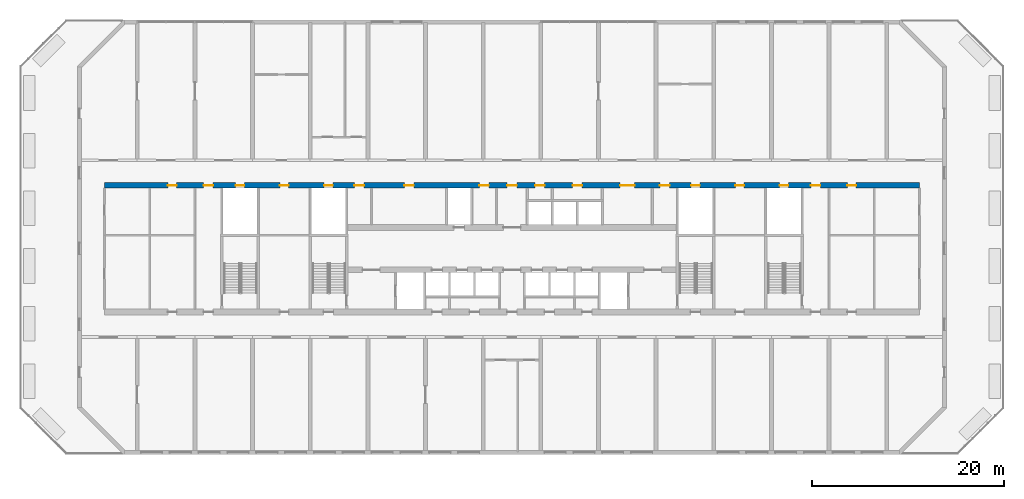
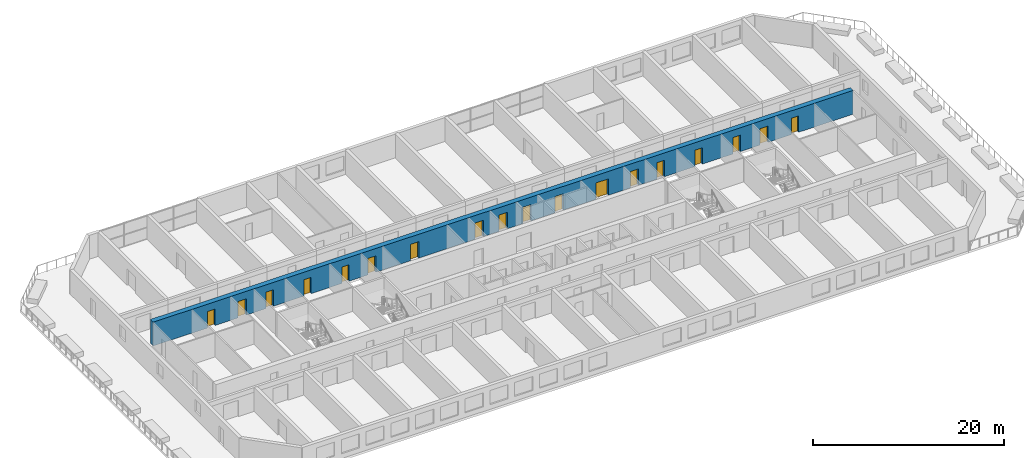
# One storey, part 13 of 21: 18 doors, 1 wall, 18 openings.
"""IFC4 building model written with IfcOpenShell, lengths in metres."""

from ifc_helpers import new_model, si_unit, direction, frame, frame_2d, origin, place, context, subcontext, project, spatial, rectangle, extrude, material, layer, layer_set, type_object, element, fill, save


model = new_model("IFC4")

# Units and contexts
model_context = context("Model", 3, precision=1e-05, world=origin(), true_north=direction((0.0, 1.0)))
body_context = subcontext(model_context, "Body", "Model", "MODEL_VIEW")
ifc_project = project(units=[si_unit("LENGTHUNIT", "METRE"), si_unit("AREAUNIT", "SQUARE_METRE"), si_unit("VOLUMEUNIT", "CUBIC_METRE"), si_unit("PLANEANGLEUNIT", "RADIAN"), si_unit("MASSUNIT", "GRAM", prefix="KILO")], contexts=[model_context])

# Site, building, storey
site_placement = place(None, origin())
site = spatial("IfcSite", under=ifc_project, at=site_placement, CompositionType="ELEMENT")
building_placement = place(site_placement, origin())
building = spatial("IfcBuilding", under=site, at=building_placement, Name="Poui Terraces", CompositionType="ELEMENT")
storey_placement = place(building_placement, frame((0.0, 0.0, 53.10009765625)))
storey = spatial("IfcBuildingStorey", under=building, at=storey_placement, Name="L14", CompositionType="ELEMENT", Elevation=53.10009765625)

# Wall, openings, doors
ifc_material_1 = material(Name="Concrete 80 MPa", Category="concrete")
ifc_layer = layer(ifc_material_1, 0.60009765625)
ifc_layer_set = layer_set([ifc_layer], Name="Concrete 80 MPa")
wall_type = type_object("IfcWallType", Name="SPINE WALL 600 80 MPA", PredefinedType="SOLIDWALL", material=ifc_layer_set)
wall_placement = place(storey_placement, frame((8.60009765625, 27.800048828125, 0.0), z_axis=(0.0, 0.0, 1.0), x_axis=(1.0, 0.0, 0.0)))
wall = element("IfcWall", 1, at=wall_placement, inside=storey, type_object=wall_type, Name="SPINE WALL", PredefinedType="SOLIDWALL", context=body_context, shape_type="SweptSolid", body=[
    extrude(rectangle(XDim=84.7998046875, YDim=0.60009765625, at=frame_2d((42.39990234375, 0.0))), origin(), (0.0, 0.0, 1.0), 3.0498046875),
])
opening_1_placement = place(wall_placement, frame((6.60009765625, 0.0, 0.0)))
opening_1 = element("IfcOpeningElement", 2, at=opening_1_placement, cuts=wall, Name="Opening D90", PredefinedType="OPENING", context=body_context, shape_type="SweptSolid", body=[
    extrude(rectangle(XDim=0.89990234375, YDim=2.10009765625, at=frame_2d((0.449951171875, 1.050048828125))), frame((0.0, 0.31005859375, 0.0), z_axis=(0.0, -1.0, 0.0), x_axis=(1.0, 0.0, 0.0)), (0.0, 0.0, 1.0), 0.6201171875),
])
opening_2_placement = place(wall_placement, frame((10.300048828125, 0.0, 0.0)))
opening_2 = element("IfcOpeningElement", 3, at=opening_2_placement, cuts=wall, Name="Opening FDL", PredefinedType="OPENING", context=body_context, shape_type="SweptSolid", body=[
    extrude(rectangle(XDim=1.0, YDim=2.10009765625, at=frame_2d((0.5, 1.050048828125))), frame((0.0, 0.31005859375, 0.0), z_axis=(0.0, -1.0, 0.0), x_axis=(1.0, 0.0, 0.0)), (0.0, 0.0, 1.0), 0.6201171875),
])
opening_3_placement = place(wall_placement, frame((13.64990234375, 0.0, 0.0)))
opening_3 = element("IfcOpeningElement", 4, at=opening_3_placement, cuts=wall, Name="Opening FDR", PredefinedType="OPENING", context=body_context, shape_type="SweptSolid", body=[
    extrude(rectangle(XDim=0.89990234375, YDim=2.10009765625, at=frame_2d((0.449951171875, 1.050048828125))), frame((0.0, 0.31005859375, 0.0), z_axis=(0.0, -1.0, 0.0), x_axis=(1.0, 0.0, 0.0)), (0.0, 0.0, 1.0), 0.6201171875),
])
opening_4_placement = place(wall_placement, frame((18.25, 0.0, 0.0)))
opening_4 = element("IfcOpeningElement", 5, at=opening_4_placement, cuts=wall, Name="Opening D90", PredefinedType="OPENING", context=body_context, shape_type="SweptSolid", body=[
    extrude(rectangle(XDim=0.89990234375, YDim=2.10009765625, at=frame_2d((0.449951171875, 1.050048828125))), frame((0.0, 0.31005859375, 0.0), z_axis=(0.0, -1.0, 0.0), x_axis=(1.0, 0.0, 0.0)), (0.0, 0.0, 1.0), 0.6201171875),
])
opening_5_placement = place(wall_placement, frame((22.85009765625, 0.0, 0.0)))
opening_5 = element("IfcOpeningElement", 6, at=opening_5_placement, cuts=wall, Name="Opening FDR", PredefinedType="OPENING", context=body_context, shape_type="SweptSolid", body=[
    extrude(rectangle(XDim=0.89990234375, YDim=2.10009765625, at=frame_2d((0.449951171875, 1.050048828125))), frame((0.0, 0.31005859375, 0.0), z_axis=(0.0, -1.0, 0.0), x_axis=(1.0, 0.0, 0.0)), (0.0, 0.0, 1.0), 0.6201171875),
])
opening_6_placement = place(wall_placement, frame((26.0, 0.0, 0.0)))
opening_6 = element("IfcOpeningElement", 7, at=opening_6_placement, cuts=wall, Name="Opening FD60", PredefinedType="OPENING", context=body_context, shape_type="SweptSolid", body=[
    extrude(rectangle(XDim=1.0, YDim=2.10009765625, at=frame_2d((0.5, 1.050048828125))), frame((0.0, 0.31005859375, 0.0), z_axis=(0.0, -1.0, 0.0), x_axis=(1.0, 0.0, 0.0)), (0.0, 0.0, 1.0), 0.6201171875),
])
opening_7_placement = place(wall_placement, frame((31.199951171875, 0.0, 0.0)))
opening_7 = element("IfcOpeningElement", 8, at=opening_7_placement, cuts=wall, Name="Opening FD60", PredefinedType="OPENING", context=body_context, shape_type="SweptSolid", body=[
    extrude(rectangle(XDim=1.0, YDim=2.10009765625, at=frame_2d((0.5, 1.050048828125))), frame((0.0, 0.31005859375, 0.0), z_axis=(0.0, -1.0, 0.0), x_axis=(1.0, 0.0, 0.0)), (0.0, 0.0, 1.0), 0.6201171875),
])
opening_8_placement = place(wall_placement, frame((39.0, 0.0, 0.0)))
opening_8 = element("IfcOpeningElement", 9, at=opening_8_placement, cuts=wall, Name="Opening FD60", PredefinedType="OPENING", context=body_context, shape_type="SweptSolid", body=[
    extrude(rectangle(XDim=1.0, YDim=2.10009765625, at=frame_2d((0.5, 1.050048828125))), frame((0.0, 0.31005859375, 0.0), z_axis=(0.0, -1.0, 0.0), x_axis=(1.0, 0.0, 0.0)), (0.0, 0.0, 1.0), 0.6201171875),
])
opening_9_placement = place(wall_placement, frame((41.89990234375, 0.0, 0.0)))
opening_9 = element("IfcOpeningElement", 10, at=opening_9_placement, cuts=wall, Name="Opening FDL", PredefinedType="OPENING", context=body_context, shape_type="SweptSolid", body=[
    extrude(rectangle(XDim=1.0, YDim=2.10009765625, at=frame_2d((0.5, 1.050048828125))), frame((0.0, 0.31005859375, 0.0), z_axis=(0.0, -1.0, 0.0), x_axis=(1.0, 0.0, 0.0)), (0.0, 0.0, 1.0), 0.6201171875),
])
opening_10_placement = place(wall_placement, frame((44.800048828125, 0.0, 0.0)))
opening_10 = element("IfcOpeningElement", 11, at=opening_10_placement, cuts=wall, Name="Opening FD60", PredefinedType="OPENING", context=body_context, shape_type="SweptSolid", body=[
    extrude(rectangle(XDim=1.0, YDim=2.10009765625, at=frame_2d((0.5, 1.050048828125))), frame((0.0, 0.31005859375, 0.0), z_axis=(0.0, -1.0, 0.0), x_axis=(1.0, 0.0, 0.0)), (0.0, 0.0, 1.0), 0.6201171875),
])
opening_11_placement = place(wall_placement, frame((48.699951171875, 0.0, 0.0)))
opening_11 = element("IfcOpeningElement", 12, at=opening_11_placement, cuts=wall, Name="Opening FD60", PredefinedType="OPENING", context=body_context, shape_type="SweptSolid", body=[
    extrude(rectangle(XDim=1.0, YDim=2.10009765625, at=frame_2d((0.5, 1.050048828125))), frame((0.0, 0.31005859375, 0.0), z_axis=(0.0, -1.0, 0.0), x_axis=(1.0, 0.0, 0.0)), (0.0, 0.0, 1.0), 0.6201171875),
])
opening_12_placement = place(wall_placement, frame((53.64990234375, 0.0, 0.0)))
opening_12 = element("IfcOpeningElement", 13, at=opening_12_placement, cuts=wall, Name="Opening FDP", PredefinedType="OPENING", context=body_context, shape_type="SweptSolid", body=[
    extrude(rectangle(XDim=1.5, YDim=2.10009765625, at=frame_2d((0.75, 1.050048828125))), frame((0.0, 0.31005859375, 0.0), z_axis=(0.0, -1.0, 0.0), x_axis=(1.0, 0.0, 0.0)), (0.0, 0.0, 1.0), 0.6201171875),
])
opening_13_placement = place(wall_placement, frame((57.800048828125, 0.0, 0.0)))
opening_13 = element("IfcOpeningElement", 14, at=opening_13_placement, cuts=wall, Name="Opening FD60", PredefinedType="OPENING", context=body_context, shape_type="SweptSolid", body=[
    extrude(rectangle(XDim=1.0, YDim=2.10009765625, at=frame_2d((0.5, 1.050048828125))), frame((0.0, 0.31005859375, 0.0), z_axis=(0.0, -1.0, 0.0), x_axis=(1.0, 0.0, 0.0)), (0.0, 0.0, 1.0), 0.6201171875),
])
opening_14_placement = place(wall_placement, frame((61.050048828125, 0.0, 0.0)))
opening_14 = element("IfcOpeningElement", 15, at=opening_14_placement, cuts=wall, Name="Opening FDR", PredefinedType="OPENING", context=body_context, shape_type="SweptSolid", body=[
    extrude(rectangle(XDim=0.89990234375, YDim=2.10009765625, at=frame_2d((0.449951171875, 1.050048828125))), frame((0.0, 0.31005859375, 0.0), z_axis=(0.0, -1.0, 0.0), x_axis=(1.0, 0.0, 0.0)), (0.0, 0.0, 1.0), 0.6201171875),
])
opening_15_placement = place(wall_placement, frame((65.64990234375, 0.0, 0.0)))
opening_15 = element("IfcOpeningElement", 16, at=opening_15_placement, cuts=wall, Name="Opening D90", PredefinedType="OPENING", context=body_context, shape_type="SweptSolid", body=[
    extrude(rectangle(XDim=0.89990234375, YDim=2.10009765625, at=frame_2d((0.449951171875, 1.050048828125))), frame((0.0, 0.31005859375, 0.0), z_axis=(0.0, -1.0, 0.0), x_axis=(1.0, 0.0, 0.0)), (0.0, 0.0, 1.0), 0.6201171875),
])
opening_16_placement = place(wall_placement, frame((70.25, 0.0, 0.0)))
opening_16 = element("IfcOpeningElement", 17, at=opening_16_placement, cuts=wall, Name="Opening FDR", PredefinedType="OPENING", context=body_context, shape_type="SweptSolid", body=[
    extrude(rectangle(XDim=0.89990234375, YDim=2.10009765625, at=frame_2d((0.449951171875, 1.050048828125))), frame((0.0, 0.31005859375, 0.0), z_axis=(0.0, -1.0, 0.0), x_axis=(1.0, 0.0, 0.0)), (0.0, 0.0, 1.0), 0.6201171875),
])
opening_17_placement = place(wall_placement, frame((73.5, 0.0, 0.0)))
opening_17 = element("IfcOpeningElement", 18, at=opening_17_placement, cuts=wall, Name="Opening FDL", PredefinedType="OPENING", context=body_context, shape_type="SweptSolid", body=[
    extrude(rectangle(XDim=1.0, YDim=2.10009765625, at=frame_2d((0.5, 1.050048828125))), frame((0.0, 0.31005859375, 0.0), z_axis=(0.0, -1.0, 0.0), x_axis=(1.0, 0.0, 0.0)), (0.0, 0.0, 1.0), 0.6201171875),
])
opening_18_placement = place(wall_placement, frame((77.300048828125, 0.0, 0.0)))
opening_18 = element("IfcOpeningElement", 19, at=opening_18_placement, cuts=wall, Name="Opening D90", PredefinedType="OPENING", context=body_context, shape_type="SweptSolid", body=[
    extrude(rectangle(XDim=0.89990234375, YDim=2.10009765625, at=frame_2d((0.449951171875, 1.050048828125))), frame((0.0, 0.31005859375, 0.0), z_axis=(0.0, -1.0, 0.0), x_axis=(1.0, 0.0, 0.0)), (0.0, 0.0, 1.0), 0.6201171875),
])
ifc_material_2 = material(Name="Solid core timber door", Category="wood")
door_type_1 = type_object("IfcDoorType", Name="INTERNAL DOOR 900 X 2100", OperationType="NOTDEFINED", PredefinedType="DOOR", material=ifc_material_2)
door_1_placement = place(opening_1_placement, origin())
door_1 = element("IfcDoor", 20, at=door_1_placement, inside=storey, type_object=door_type_1, Name="INTERNAL DOOR 005", OperationType="SINGLE_SWING_RIGHT", OverallHeight=2.10009765625, OverallWidth=0.89990234375, PredefinedType="DOOR", context=body_context, shape_type="SweptSolid", body=[
    extrude(rectangle(XDim=0.89990234375, YDim=2.10009765625, at=frame_2d((0.449951171875, 1.050048828125))), frame((0.0, 0.02490234375, 0.0), z_axis=(0.0, -1.0, 0.0), x_axis=(1.0, 0.0, 0.0)), (0.0, 0.0, 1.0), 0.050048828125),
])
fill(opening_1, door_1)
door_2_placement = place(opening_4_placement, origin())
door_2 = element("IfcDoor", 21, at=door_2_placement, inside=storey, type_object=door_type_1, Name="INTERNAL DOOR 010", OperationType="SINGLE_SWING_RIGHT", OverallHeight=2.10009765625, OverallWidth=0.89990234375, PredefinedType="DOOR", context=body_context, shape_type="SweptSolid", body=[
    extrude(rectangle(XDim=0.89990234375, YDim=2.10009765625, at=frame_2d((0.449951171875, 1.050048828125))), frame((0.0, 0.02490234375, 0.0), z_axis=(0.0, -1.0, 0.0), x_axis=(1.0, 0.0, 0.0)), (0.0, 0.0, 1.0), 0.050048828125),
])
fill(opening_4, door_2)
door_3_placement = place(opening_15_placement, origin())
door_3 = element("IfcDoor", 22, at=door_3_placement, inside=storey, type_object=door_type_1, Name="INTERNAL DOOR 028", OperationType="SINGLE_SWING_RIGHT", OverallHeight=2.10009765625, OverallWidth=0.89990234375, PredefinedType="DOOR", context=body_context, shape_type="SweptSolid", body=[
    extrude(rectangle(XDim=0.89990234375, YDim=2.10009765625, at=frame_2d((0.449951171875, 1.050048828125))), frame((0.0, 0.02490234375, 0.0), z_axis=(0.0, -1.0, 0.0), x_axis=(1.0, 0.0, 0.0)), (0.0, 0.0, 1.0), 0.050048828125),
])
fill(opening_15, door_3)
door_4_placement = place(opening_18_placement, origin())
door_4 = element("IfcDoor", 23, at=door_4_placement, inside=storey, type_object=door_type_1, Name="INTERNAL DOOR 033", OperationType="SINGLE_SWING_LEFT", OverallHeight=2.10009765625, OverallWidth=0.89990234375, PredefinedType="DOOR", context=body_context, shape_type="SweptSolid", body=[
    extrude(rectangle(XDim=0.89990234375, YDim=2.10009765625, at=frame_2d((0.449951171875, 1.050048828125))), frame((0.0, 0.02490234375, 0.0), z_axis=(0.0, -1.0, 0.0), x_axis=(1.0, 0.0, 0.0)), (0.0, 0.0, 1.0), 0.050048828125),
])
fill(opening_18, door_4)
ifc_material_3 = material(Name="Steel fire door", Category="steel")
door_type_2 = type_object("IfcDoorType", Name="LOBBY FIRE DOOR 1000 X 2100", OperationType="NOTDEFINED", PredefinedType="DOOR", material=ifc_material_3)
door_5_placement = place(opening_2_placement, origin())
door_5 = element("IfcDoor", 24, at=door_5_placement, inside=storey, type_object=door_type_2, Name="LOBBY FIRE DOOR 006", OperationType="SINGLE_SWING_LEFT", OverallHeight=2.10009765625, OverallWidth=1.0, PredefinedType="DOOR", context=body_context, shape_type="SweptSolid", body=[
    extrude(rectangle(XDim=1.0, YDim=2.10009765625, at=frame_2d((0.5, 1.050048828125))), frame((0.0, 0.02490234375, 0.0), z_axis=(0.0, -1.0, 0.0), x_axis=(1.0, 0.0, 0.0)), (0.0, 0.0, 1.0), 0.050048828125),
])
fill(opening_2, door_5)
door_6_placement = place(opening_9_placement, origin())
door_6 = element("IfcDoor", 25, at=door_6_placement, inside=storey, type_object=door_type_2, Name="LOBBY FIRE DOOR 018", OperationType="SINGLE_SWING_RIGHT", OverallHeight=2.10009765625, OverallWidth=1.0, PredefinedType="DOOR", context=body_context, shape_type="SweptSolid", body=[
    extrude(rectangle(XDim=1.0, YDim=2.10009765625, at=frame_2d((0.5, 1.050048828125))), frame((0.0, 0.02490234375, 0.0), z_axis=(0.0, -1.0, 0.0), x_axis=(1.0, 0.0, 0.0)), (0.0, 0.0, 1.0), 0.050048828125),
])
fill(opening_9, door_6)
door_7_placement = place(opening_17_placement, origin())
door_7 = element("IfcDoor", 26, at=door_7_placement, inside=storey, type_object=door_type_2, Name="LOBBY FIRE DOOR 032", OperationType="SINGLE_SWING_RIGHT", OverallHeight=2.10009765625, OverallWidth=1.0, PredefinedType="DOOR", context=body_context, shape_type="SweptSolid", body=[
    extrude(rectangle(XDim=1.0, YDim=2.10009765625, at=frame_2d((0.5, 1.050048828125))), frame((0.0, 0.02490234375, 0.0), z_axis=(0.0, -1.0, 0.0), x_axis=(1.0, 0.0, 0.0)), (0.0, 0.0, 1.0), 0.050048828125),
])
fill(opening_17, door_7)
door_type_3 = type_object("IfcDoorType", Name="PLANT ROOM DOOR PAIR 1500 X 2100", OperationType="DOUBLE_DOOR_SINGLE_SWING", PredefinedType="DOOR", material=ifc_material_3)
door_8_placement = place(opening_12_placement, origin())
door_8 = element("IfcDoor", 27, at=door_8_placement, inside=storey, type_object=door_type_3, Name="PLANT ROOM DOOR PAIR 023", OperationType="DOUBLE_DOOR_SINGLE_SWING", OverallHeight=2.10009765625, OverallWidth=1.5, PredefinedType="DOOR", context=body_context, shape_type="SweptSolid", body=[
    extrude(rectangle(XDim=1.5, YDim=2.10009765625, at=frame_2d((0.75, 1.050048828125))), frame((0.0, 0.02490234375, 0.0), z_axis=(0.0, -1.0, 0.0), x_axis=(1.0, 0.0, 0.0)), (0.0, 0.0, 1.0), 0.050048828125),
])
fill(opening_12, door_8)
door_type_4 = type_object("IfcDoorType", Name="RISER CUPBOARD DOOR 900 X 2100", OperationType="NOTDEFINED", PredefinedType="DOOR", material=ifc_material_3)
door_9_placement = place(opening_3_placement, origin())
door_9 = element("IfcDoor", 28, at=door_9_placement, inside=storey, type_object=door_type_4, Name="RISER CUPBOARD DOOR 008", OperationType="SINGLE_SWING_LEFT", OverallHeight=2.10009765625, OverallWidth=0.89990234375, PredefinedType="DOOR", context=body_context, shape_type="SweptSolid", body=[
    extrude(rectangle(XDim=0.89990234375, YDim=2.10009765625, at=frame_2d((0.449951171875, 1.050048828125))), frame((0.0, 0.02490234375, 0.0), z_axis=(0.0, -1.0, 0.0), x_axis=(1.0, 0.0, 0.0)), (0.0, 0.0, 1.0), 0.050048828125),
])
fill(opening_3, door_9)
door_10_placement = place(opening_5_placement, origin())
door_10 = element("IfcDoor", 29, at=door_10_placement, inside=storey, type_object=door_type_4, Name="RISER CUPBOARD DOOR 011", OperationType="SINGLE_SWING_LEFT", OverallHeight=2.10009765625, OverallWidth=0.89990234375, PredefinedType="DOOR", context=body_context, shape_type="SweptSolid", body=[
    extrude(rectangle(XDim=0.89990234375, YDim=2.10009765625, at=frame_2d((0.449951171875, 1.050048828125))), frame((0.0, 0.02490234375, 0.0), z_axis=(0.0, -1.0, 0.0), x_axis=(1.0, 0.0, 0.0)), (0.0, 0.0, 1.0), 0.050048828125),
])
fill(opening_5, door_10)
door_11_placement = place(opening_14_placement, origin())
door_11 = element("IfcDoor", 30, at=door_11_placement, inside=storey, type_object=door_type_4, Name="RISER CUPBOARD DOOR 027", OperationType="SINGLE_SWING_RIGHT", OverallHeight=2.10009765625, OverallWidth=0.89990234375, PredefinedType="DOOR", context=body_context, shape_type="SweptSolid", body=[
    extrude(rectangle(XDim=0.89990234375, YDim=2.10009765625, at=frame_2d((0.449951171875, 1.050048828125))), frame((0.0, 0.02490234375, 0.0), z_axis=(0.0, -1.0, 0.0), x_axis=(1.0, 0.0, 0.0)), (0.0, 0.0, 1.0), 0.050048828125),
])
fill(opening_14, door_11)
door_12_placement = place(opening_16_placement, origin())
door_12 = element("IfcDoor", 31, at=door_12_placement, inside=storey, type_object=door_type_4, Name="RISER CUPBOARD DOOR 030", OperationType="SINGLE_SWING_RIGHT", OverallHeight=2.10009765625, OverallWidth=0.89990234375, PredefinedType="DOOR", context=body_context, shape_type="SweptSolid", body=[
    extrude(rectangle(XDim=0.89990234375, YDim=2.10009765625, at=frame_2d((0.449951171875, 1.050048828125))), frame((0.0, 0.02490234375, 0.0), z_axis=(0.0, -1.0, 0.0), x_axis=(1.0, 0.0, 0.0)), (0.0, 0.0, 1.0), 0.050048828125),
])
fill(opening_16, door_12)
door_type_5 = type_object("IfcDoorType", Name="SERVICE ROOM FIRE DOOR 1000 X 2100", OperationType="NOTDEFINED", PredefinedType="DOOR", material=ifc_material_3)
door_13_placement = place(opening_6_placement, origin())
door_13 = element("IfcDoor", 32, at=door_13_placement, inside=storey, type_object=door_type_5, Name="SERVICE ROOM FIRE DOOR 013", OperationType="SINGLE_SWING_LEFT", OverallHeight=2.10009765625, OverallWidth=1.0, PredefinedType="DOOR", context=body_context, shape_type="SweptSolid", body=[
    extrude(rectangle(XDim=1.0, YDim=2.10009765625, at=frame_2d((0.5, 1.050048828125))), frame((0.0, 0.02490234375, 0.0), z_axis=(0.0, -1.0, 0.0), x_axis=(1.0, 0.0, 0.0)), (0.0, 0.0, 1.0), 0.050048828125),
])
fill(opening_6, door_13)
door_14_placement = place(opening_7_placement, origin())
door_14 = element("IfcDoor", 33, at=door_14_placement, inside=storey, type_object=door_type_5, Name="SERVICE ROOM FIRE DOOR 015", OperationType="SINGLE_SWING_RIGHT", OverallHeight=2.10009765625, OverallWidth=1.0, PredefinedType="DOOR", context=body_context, shape_type="SweptSolid", body=[
    extrude(rectangle(XDim=1.0, YDim=2.10009765625, at=frame_2d((0.5, 1.050048828125))), frame((0.0, 0.02490234375, 0.0), z_axis=(0.0, -1.0, 0.0), x_axis=(1.0, 0.0, 0.0)), (0.0, 0.0, 1.0), 0.050048828125),
])
fill(opening_7, door_14)
door_15_placement = place(opening_8_placement, origin())
door_15 = element("IfcDoor", 34, at=door_15_placement, inside=storey, type_object=door_type_5, Name="SERVICE ROOM FIRE DOOR 017", OperationType="SINGLE_SWING_LEFT", OverallHeight=2.10009765625, OverallWidth=1.0, PredefinedType="DOOR", context=body_context, shape_type="SweptSolid", body=[
    extrude(rectangle(XDim=1.0, YDim=2.10009765625, at=frame_2d((0.5, 1.050048828125))), frame((0.0, 0.02490234375, 0.0), z_axis=(0.0, -1.0, 0.0), x_axis=(1.0, 0.0, 0.0)), (0.0, 0.0, 1.0), 0.050048828125),
])
fill(opening_8, door_15)
door_16_placement = place(opening_10_placement, origin())
door_16 = element("IfcDoor", 35, at=door_16_placement, inside=storey, type_object=door_type_5, Name="SERVICE ROOM FIRE DOOR 020", OperationType="SINGLE_SWING_RIGHT", OverallHeight=2.10009765625, OverallWidth=1.0, PredefinedType="DOOR", context=body_context, shape_type="SweptSolid", body=[
    extrude(rectangle(XDim=1.0, YDim=2.10009765625, at=frame_2d((0.5, 1.050048828125))), frame((0.0, 0.02490234375, 0.0), z_axis=(0.0, -1.0, 0.0), x_axis=(1.0, 0.0, 0.0)), (0.0, 0.0, 1.0), 0.050048828125),
])
fill(opening_10, door_16)
door_17_placement = place(opening_11_placement, origin())
door_17 = element("IfcDoor", 36, at=door_17_placement, inside=storey, type_object=door_type_5, Name="SERVICE ROOM FIRE DOOR 022", OperationType="SINGLE_SWING_LEFT", OverallHeight=2.10009765625, OverallWidth=1.0, PredefinedType="DOOR", context=body_context, shape_type="SweptSolid", body=[
    extrude(rectangle(XDim=1.0, YDim=2.10009765625, at=frame_2d((0.5, 1.050048828125))), frame((0.0, 0.02490234375, 0.0), z_axis=(0.0, -1.0, 0.0), x_axis=(1.0, 0.0, 0.0)), (0.0, 0.0, 1.0), 0.050048828125),
])
fill(opening_11, door_17)
door_18_placement = place(opening_13_placement, origin())
door_18 = element("IfcDoor", 37, at=door_18_placement, inside=storey, type_object=door_type_5, Name="SERVICE ROOM FIRE DOOR 025", OperationType="SINGLE_SWING_LEFT", OverallHeight=2.10009765625, OverallWidth=1.0, PredefinedType="DOOR", context=body_context, shape_type="SweptSolid", body=[
    extrude(rectangle(XDim=1.0, YDim=2.10009765625, at=frame_2d((0.5, 1.050048828125))), frame((0.0, 0.02490234375, 0.0), z_axis=(0.0, -1.0, 0.0), x_axis=(1.0, 0.0, 0.0)), (0.0, 0.0, 1.0), 0.050048828125),
])
fill(opening_13, door_18)

save(model, "model.ifc")
